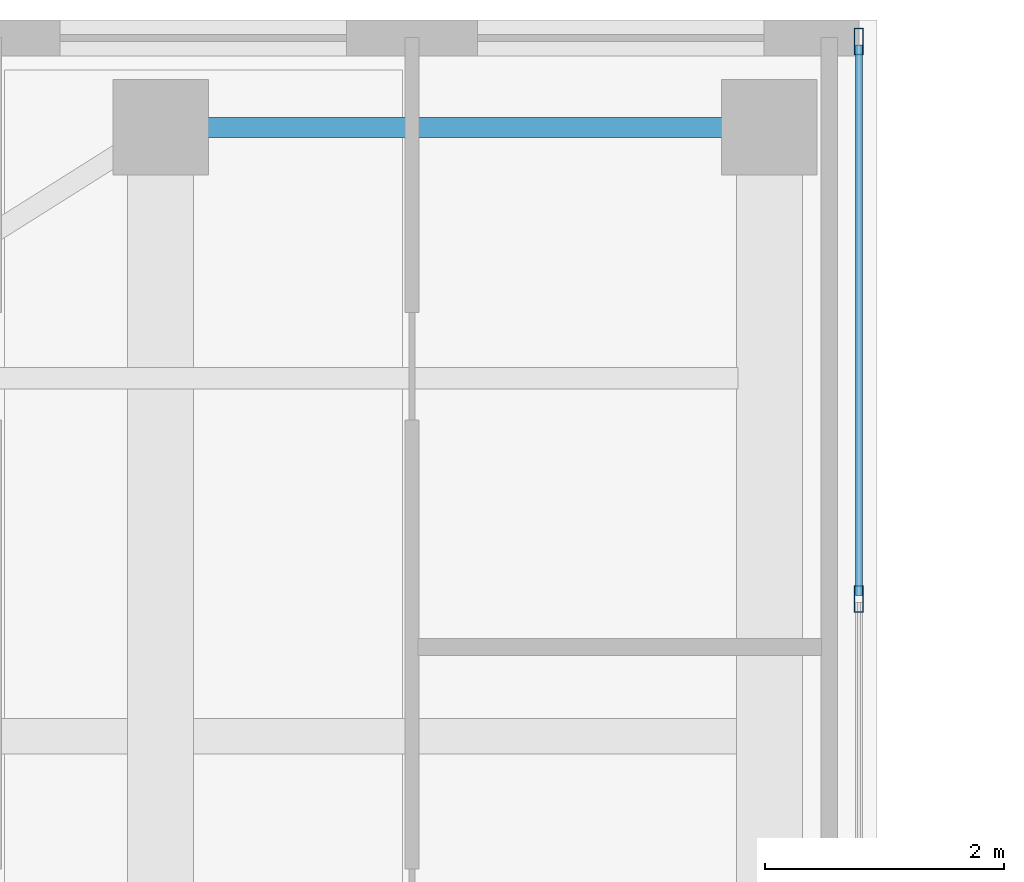
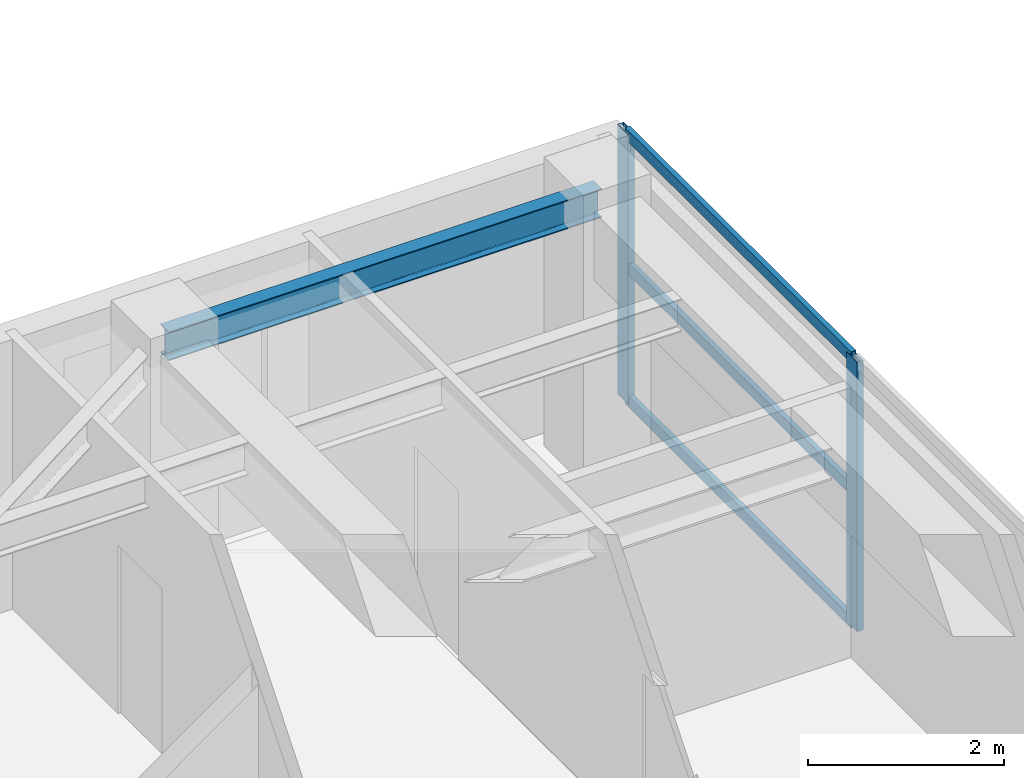
# One storey, part 15 of 23: 5 members, 1 beam, 1 element without a shape of its own.
"""IFC4 building model written with IfcOpenShell, lengths in metres."""

from ifc_helpers import new_model, si_unit, direction, frame, origin, origin_2d, place, context, subcontext, project, spatial, hollow_rectangle, i_section, extrude, source, transform, mapped, material, layer, layer_set, material_profile, profile_set, type_object, element, aggregate, save


model = new_model("IFC4")

# Units and contexts
model_context = context("Model", 3, precision=1e-05, world=origin(), true_north=direction((0.0, 1.0)))
body_context = subcontext(model_context, "Body", "Model", "MODEL_VIEW")
ifc_project = project(units=[si_unit("LENGTHUNIT", "METRE"), si_unit("AREAUNIT", "SQUARE_METRE"), si_unit("VOLUMEUNIT", "CUBIC_METRE"), si_unit("PLANEANGLEUNIT", "RADIAN"), si_unit("MASSUNIT", "GRAM", prefix="KILO")], contexts=[model_context])

# Site, building, storey
site_placement = place(None, origin())
site = spatial("IfcSite", under=ifc_project, at=site_placement, CompositionType="ELEMENT")
building_placement = place(site_placement, origin())
building = spatial("IfcBuilding", under=site, at=building_placement, Name="Khoralis Quay Care Tower", CompositionType="ELEMENT")
storey_placement = place(building_placement, frame((0.0, 0.0, 252.89990234375)))
storey = spatial("IfcBuildingStorey", under=building, at=storey_placement, Name="L66", CompositionType="ELEMENT", Elevation=252.89990234375)

# Beam
ifc_material_1 = material(Name="Steel S355", Category="steel")
ifc_material_profile_1 = material_profile(ifc_material_1, i_section(OverallWidth=0.169921875, OverallDepth=0.360107421875, WebThickness=0.008056640625, FlangeThickness=0.0126953125, FilletRadius=0.01806640625, at=origin_2d()), Name="Steel S355")
ifc_profile_set_1 = profile_set([ifc_material_profile_1], Name="Steel S355")
beam_type = type_object("IfcBeamType", Name="BM-IPE360", PredefinedType="SPANDREL", material=ifc_profile_set_1)
shared_shape_1 = source(origin(), body_context, "Body", "SweptSolid", [
    extrude(i_section(OverallWidth=0.169921875, OverallDepth=0.360107421875, WebThickness=0.008056640625, FlangeThickness=0.0126953125, FilletRadius=0.01806640625, at=origin_2d()), origin(), (0.0, 0.0, 1.0), 5.10009765625),
])
beam_placement = place(storey_placement, frame((12.0, 41.10009765625, 3.18017578125), z_axis=(1.0, 0.0, 0.0), x_axis=(0.0, 1.0, 0.0)))
element("IfcBeam", 1, at=beam_placement, inside=storey, type_object=beam_type, Name="BM-TSP-L66-03", PredefinedType="SPANDREL", context=body_context, shape_type="MappedRepresentation", body=[
    mapped(shared_shape_1, transform((0.0, 0.0, 0.0), scale=1.0)),
])

# Curtain wall, members
ifc_material_2 = material(Name="Pale anodised aluminium", Category="aluminium")
ifc_layer = layer(ifc_material_2, 0.18994140625)
ifc_layer_set = layer_set([ifc_layer], Name="Pale anodised aluminium")
curtain_wall_type = type_object("IfcCurtainWallType", Name="CW-SYS-PORTAL", PredefinedType="NOTDEFINED", material=ifc_layer_set)
curtain_wall_placement = place(storey_placement, origin())
curtain_wall = element("IfcCurtainWall", 2, at=curtain_wall_placement, inside=storey, type_object=curtain_wall_type, Name="L66 Unitised Curtain Wall CW-VP-L66-P1-N", PredefinedType="NOTDEFINED")
ifc_material_profile_2 = material_profile(ifc_material_2, hollow_rectangle(XDim=0.06005859375, YDim=0.139892578125, WallThickness=0.00390625, at=origin_2d()), Name="Pale anodised aluminium")
ifc_profile_set_2 = profile_set([ifc_material_profile_2], Name="Pale anodised aluminium")
member_type_1 = type_object("IfcMemberType", Name="CW-TRN-140", PredefinedType="USERDEFINED", material=ifc_profile_set_2)
shared_shape_2 = source(origin(), body_context, "Body", "SweptSolid", [
    extrude(hollow_rectangle(XDim=0.06005859375, YDim=0.139892578125, WallThickness=0.00390625, at=origin_2d()), origin(), (0.0, 0.0, 1.0), 4.610107421875),
])
member_1_placement = place(storey_placement, frame((17.85009765625, 37.179931640625, 0.030029296875), z_axis=(0.0, 1.0, 0.0), x_axis=(-1.0, 0.0, 0.0)))
member_1 = element("IfcMember", 3, at=member_1_placement, type_object=member_type_1, Name="CW4 transom 3.1", ObjectType="TRANSOM", PredefinedType="USERDEFINED", context=body_context, shape_type="MappedRepresentation", body=[
    mapped(shared_shape_2, transform((0.0, 0.0, 0.0), scale=1.0)),
])
member_2_placement = place(storey_placement, frame((17.85009765625, 37.179931640625, 1.68017578125), z_axis=(0.0, 1.0, 0.0), x_axis=(-1.0, 0.0, 0.0)))
member_2 = element("IfcMember", 4, at=member_2_placement, type_object=member_type_1, Name="CW4 transom 3.2", ObjectType="TRANSOM", PredefinedType="USERDEFINED", context=body_context, shape_type="MappedRepresentation", body=[
    mapped(shared_shape_2, transform((0.0, 0.0, 0.0), scale=1.0)),
])
member_3_placement = place(storey_placement, frame((17.85009765625, 37.179931640625, 3.330078125), z_axis=(0.0, 1.0, 0.0), x_axis=(-1.0, 0.0, 0.0)))
member_3 = element("IfcMember", 5, at=member_3_placement, type_object=member_type_1, Name="CW4 transom 3.3", ObjectType="TRANSOM", PredefinedType="USERDEFINED", context=body_context, shape_type="MappedRepresentation", body=[
    mapped(shared_shape_2, transform((0.0, 0.0, 0.0), scale=1.0)),
])
ifc_material_profile_3 = material_profile(ifc_material_2, hollow_rectangle(XDim=0.074951171875, YDim=0.219970703125, WallThickness=0.00390625, at=origin_2d()), Name="Pale anodised aluminium")
ifc_profile_set_3 = profile_set([ifc_material_profile_3], Name="Pale anodised aluminium")
member_type_2 = type_object("IfcMemberType", Name="CW-MUL-220", PredefinedType="MULLION", material=ifc_profile_set_3)
shared_shape_3 = source(origin(), body_context, "Body", "SweptSolid", [
    extrude(hollow_rectangle(XDim=0.074951171875, YDim=0.219970703125, WallThickness=0.00390625, at=origin_2d()), origin(), (0.0, 0.0, 1.0), 3.360107421875),
])
member_4_placement = place(storey_placement, frame((17.85009765625, 37.14990234375, 0.0), z_axis=(0.0, 0.0, 1.0), x_axis=(-1.0, 0.0, 0.0)))
member_4 = element("IfcMember", 6, at=member_4_placement, type_object=member_type_2, Name="CW4 mullion 3", PredefinedType="MULLION", context=body_context, shape_type="MappedRepresentation", body=[
    mapped(shared_shape_3, transform((0.0, 0.0, 0.0), scale=1.0)),
])
member_5_placement = place(storey_placement, frame((17.85009765625, 41.820068359375, 0.0), z_axis=(0.0, 0.0, 1.0), x_axis=(-1.0, 0.0, 0.0)))
member_5 = element("IfcMember", 7, at=member_5_placement, type_object=member_type_2, Name="CW4 mullion 4", PredefinedType="MULLION", context=body_context, shape_type="MappedRepresentation", body=[
    mapped(shared_shape_3, transform((0.0, 0.0, 0.0), scale=1.0)),
])
aggregate(curtain_wall, [member_4, member_5, member_1, member_2, member_3])

save(model, "model.ifc")
